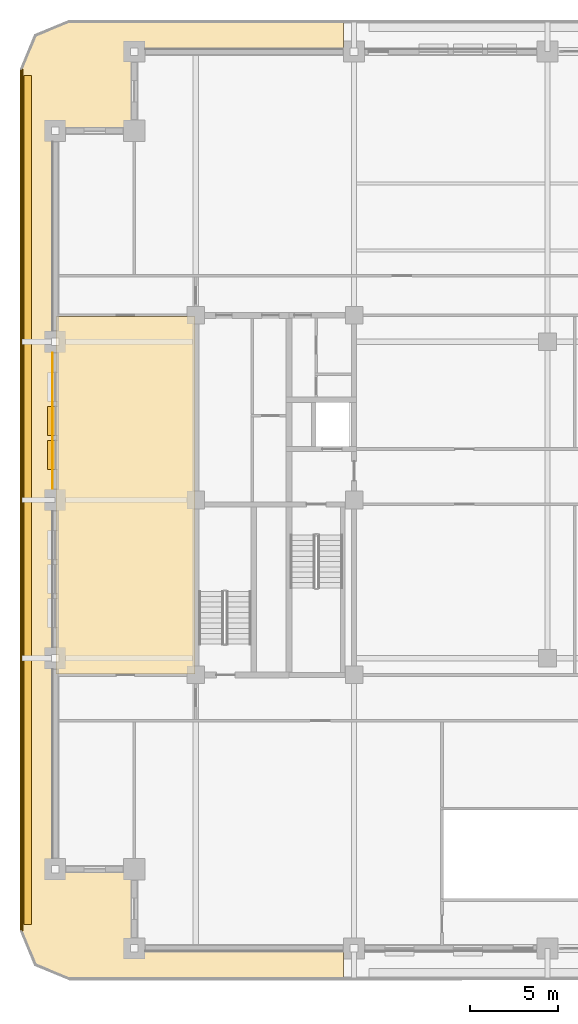
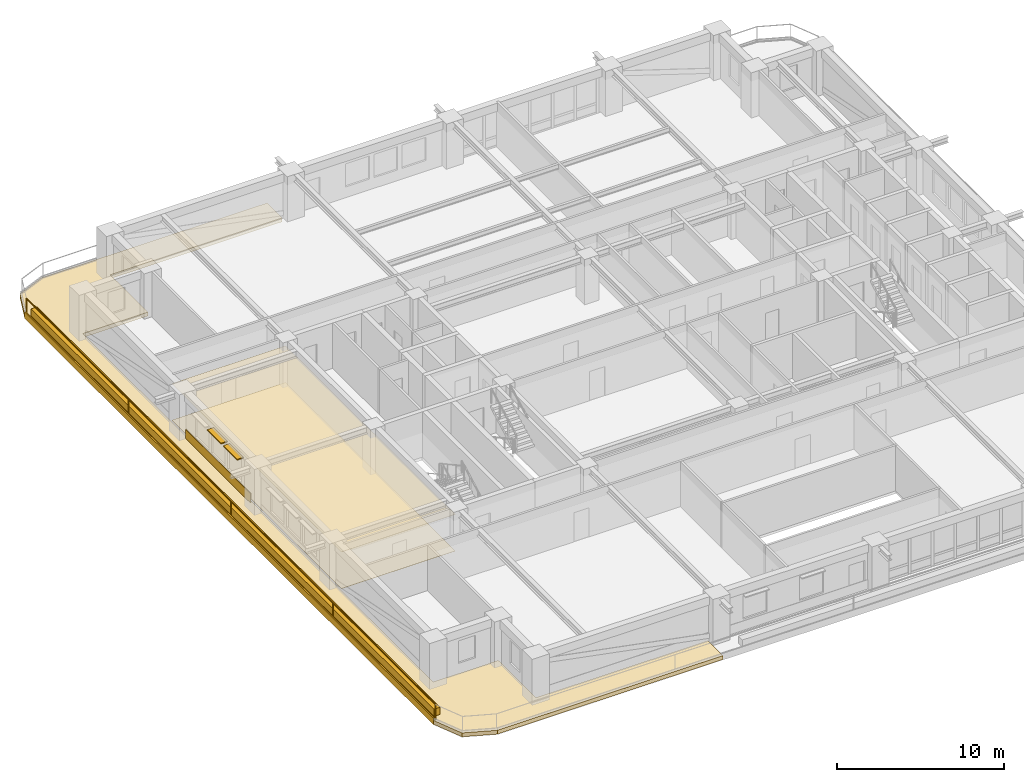
# One storey, part 15 of 20: 6 coverings, 2 shading devices, 1 railing.
"""IFC4 building model written with IfcOpenShell, lengths in metres."""

from ifc_helpers import new_model, si_unit, direction, frame, frame_2d, origin, origin_2d, place, context, subcontext, project, spatial, polyline, rectangle, outline, extrude, material, layer, layer_set, type_object, element, save


model = new_model("IFC4")

# Units and contexts
model_context = context("Model", 3, precision=1e-05, world=origin(), true_north=direction((0.0, 1.0)))
body_context = subcontext(model_context, "Body", "Model", "MODEL_VIEW")
ifc_project = project(units=[si_unit("LENGTHUNIT", "METRE"), si_unit("AREAUNIT", "SQUARE_METRE"), si_unit("VOLUMEUNIT", "CUBIC_METRE"), si_unit("PLANEANGLEUNIT", "RADIAN"), si_unit("MASSUNIT", "GRAM", prefix="KILO")], contexts=[model_context])

# Site, building, storey
site_placement = place(None, origin())
site = spatial("IfcSite", under=ifc_project, at=site_placement, CompositionType="ELEMENT")
building_placement = place(site_placement, origin())
building = spatial("IfcBuilding", under=site, at=building_placement, Name="Zulmaris Gate Convention Tower", CompositionType="ELEMENT")
storey_placement = place(building_placement, frame((0.0, 0.0, 146.33984375)))
storey = spatial("IfcBuildingStorey", under=building, at=storey_placement, Name="L37", CompositionType="ELEMENT", Elevation=146.33984375)

# Coverings
ifc_material_1 = material(Name="Precast concrete C40/50", Category="concrete")
ifc_layer_1 = layer(ifc_material_1, 0.0400390625, Name="Precast concrete C40/50")
ifc_layer_set_1 = layer_set([ifc_layer_1], Name="Precast concrete C40/50")
covering_type_1 = type_object("IfcCoveringType", Name="CLAD-SPANDREL-PRECAST", PredefinedType="CLADDING", material=ifc_layer_set_1)
covering_1_placement = place(storey_placement, frame((-28.14990234375, 8.3701171875, 0.0), z_axis=(0.0, 0.0, 1.0), x_axis=(0.0, -1.0, 0.0)))
element("IfcCovering", 1, at=covering_1_placement, inside=storey, type_object=covering_type_1, Name="CLD-L37-W-2_0", PredefinedType="CLADDING", context=body_context, shape_type="SweptSolid", body=[
    extrude(rectangle(XDim=7.740234375, YDim=0.0400390625, at=frame_2d((3.8701171875, 0.0))), origin(), (0.0, 0.0, 1.0), 0.679931640625),
])
ifc_material_2 = material(Name="White Glazed Architectural Precast Concrete C40/50", Category="concrete")
ifc_layer_2 = layer(ifc_material_2, 0.239990234375, Name="White Glazed Architectural Precast Concrete C40/50")
ifc_layer_set_2 = layer_set([ifc_layer_2], Name="White Glazed Architectural Precast Concrete C40/50")
covering_type_2 = type_object("IfcCoveringType", Name="CLAD-TRAY-DECK", PredefinedType="CLADDING", material=ifc_layer_set_2)
covering_2_placement = place(storey_placement, frame((0.0, 0.0, -0.324951171875)))
element("IfcCovering", 2, at=covering_2_placement, inside=storey, type_object=covering_type_2, Name="L37 West Rounded-Fascia Planter Tray Deck", PredefinedType="CLADDING", context=body_context, shape_type="SweptSolid", body=[
    extrude(outline(polyline([(-30.0, 24.5), (-29.179931640625, 26.47998046875), (-27.199951171875, 27.300048828125), (-11.60205078125, 27.300048828125), (-11.60205078125, 25.5), (-23.5, 25.5), (-23.5, 21.0), (-28.0, 21.0), (-28.0, -21.0), (-23.5, -21.0), (-23.5, -25.5), (-11.60205078125, -25.5), (-11.60205078125, -27.300048828125), (-27.199951171875, -27.300048828125), (-29.179931640625, -26.47998046875), (-30.0, -24.5), (-30.0, 24.5)])), origin(), (0.0, 0.0, 1.0), 0.284912109375),
])
ifc_layer_3 = layer(ifc_material_2, 0.080078125, Name="White Glazed Architectural Precast Concrete C40/50")
ifc_layer_set_3 = layer_set([ifc_layer_3], Name="White Glazed Architectural Precast Concrete C40/50")
covering_type_3 = type_object("IfcCoveringType", Name="CLAD-TRAY-FASCIA", PredefinedType="CLADDING", material=ifc_layer_set_3)
covering_3_placement = place(storey_placement, frame((-29.9599609375, 24.5, -0.364990234375), z_axis=(0.0, 0.0, 1.0), x_axis=(0.0, -1.0, 0.0)))
element("IfcCovering", 3, at=covering_3_placement, inside=storey, type_object=covering_type_3, Name="FSC-L37-TR-11", PredefinedType="CLADDING", context=body_context, shape_type="SweptSolid", body=[
    extrude(rectangle(XDim=49.0, YDim=0.080078125, at=frame_2d((24.5, 0.0))), origin(), (0.0, 0.0, 1.0), 0.48486328125),
])
ifc_material_3 = material(Name="Mineral Fibre Acoustic Ceiling Tile")
ifc_layer_4 = layer(ifc_material_3, 0.02001953125, Name="Mineral Fibre Acoustic Ceiling Tile")
ifc_layer_set_4 = layer_set([ifc_layer_4], Name="Mineral Fibre Acoustic Ceiling Tile")
covering_type_4 = type_object("IfcCoveringType", Name="CLG-ACOUSTIC-600", PredefinedType="CEILING", material=ifc_layer_set_4)
covering_4_placement = place(storey_placement, frame((0.0, 0.0, 2.68017578125)))
element("IfcCovering", 4, at=covering_4_placement, inside=storey, type_object=covering_type_4, Name="CLG-L37-R52", PredefinedType="CEILING", context=body_context, shape_type="SweptSolid", body=[
    extrude(outline(polyline([(-27.93994140625, -9.889892578125), (-20.06005859375, -9.889892578125), (-20.06005859375, 10.43994140625), (-27.93994140625, 10.43994140625), (-27.93994140625, -9.889892578125)])), origin(), (0.0, 0.0, 1.0), 0.019775390625),
])
ifc_material_4 = material(Name="Woven Acoustic Wool Carpet Tile")
ifc_layer_5 = layer(ifc_material_4, 0.02001953125, Name="Woven Acoustic Wool Carpet Tile")
ifc_layer_set_5 = layer_set([ifc_layer_5], Name="Woven Acoustic Wool Carpet Tile")
covering_type_5 = type_object("IfcCoveringType", Name="FLR-CARPET-12", PredefinedType="FLOORING", material=ifc_layer_set_5)
covering_5_placement = place(storey_placement, origin())
element("IfcCovering", 5, at=covering_5_placement, inside=storey, type_object=covering_type_5, Name="FLR-L37-R52", PredefinedType="FLOORING", context=body_context, shape_type="SweptSolid", body=[
    extrude(outline(polyline([(-27.93994140625, -9.889892578125), (-20.06005859375, -9.889892578125), (-20.06005859375, 10.43994140625), (-27.93994140625, 10.43994140625), (-27.93994140625, -9.889892578125)])), origin(), (0.0, 0.0, 1.0), 0.02001953125),
])
ifc_material_5 = material(Name="Botanical Green Glazed Precast Concrete C40/50", Category="concrete")
ifc_layer_6 = layer(ifc_material_5, 0.419921875, Name="Botanical Green Glazed Precast Concrete C40/50")
ifc_layer_set_6 = layer_set([ifc_layer_6], Name="Botanical Green Glazed Precast Concrete C40/50")
covering_type_6 = type_object("IfcCoveringType", Name="PLANTER-BOX-200", PredefinedType="CLADDING", material=ifc_layer_set_6)
covering_6_placement = place(storey_placement, frame((0.0, 0.0, -0.0400390625)))
element("IfcCovering", 6, at=covering_6_placement, inside=storey, type_object=covering_type_6, Name="L37 W Full-Length Balcony Tree Planter Trough", PredefinedType="CLADDING", context=body_context, shape_type="SweptSolid", body=[
    extrude(outline(polyline([(-29.760009765625, -24.14990234375), (-29.340087890625, -24.14990234375), (-29.340087890625, 24.14990234375), (-29.760009765625, 24.14990234375), (-29.760009765625, -24.14990234375)])), origin(), (0.0, 0.0, 1.0), 0.52001953125),
])

# Railing
ifc_material_6 = material(Name="Laminated Glass and Stainless Steel", Category="steel")
railing_type = type_object("IfcRailingType", Name="RL-BALC-1150", PredefinedType="BALUSTRADE", material=ifc_material_6)
railing_placement = place(storey_placement, frame((-29.8798828125, 24.5, -0.0400390625)))
element("IfcRailing", 7, at=railing_placement, inside=storey, type_object=railing_type, Name="RL-L37-BALC-W", PredefinedType="BALUSTRADE", context=body_context, shape_type="SweptSolid", body=[
    extrude(rectangle(XDim=0.048095703125, YDim=0.048095703125, at=origin_2d()), frame((0.0, 0.0, 1.1259765625), z_axis=(0.0, -1.0, 0.0), x_axis=(1.0, 0.0, 0.0)), (0.0, 0.0, 1.0), 49.0),
    extrude(rectangle(XDim=0.048095703125, YDim=0.048095703125, at=origin_2d()), frame((0.0, 0.0, 0.02392578125), z_axis=(0.0, -1.0, 0.0), x_axis=(1.0, 0.0, 0.0)), (0.0, 0.0, 1.0), 49.0),
    extrude(rectangle(XDim=0.0419921875, YDim=0.0419921875, at=origin_2d()), origin(), (0.0, 0.0, 1.0), 1.101806640625),
    extrude(rectangle(XDim=0.0419921875, YDim=0.0419921875, at=origin_2d()), frame((0.0, -12.25, 0.0)), (0.0, 0.0, 1.0), 1.101806640625),
    extrude(rectangle(XDim=0.0419921875, YDim=0.0419921875, at=origin_2d()), frame((0.0, -24.5, 0.0)), (0.0, 0.0, 1.0), 1.101806640625),
    extrude(rectangle(XDim=0.0419921875, YDim=0.0419921875, at=origin_2d()), frame((0.0, -36.75, 0.0)), (0.0, 0.0, 1.0), 1.101806640625),
    extrude(rectangle(XDim=0.0419921875, YDim=0.0419921875, at=origin_2d()), frame((0.0, -49.0, 0.0)), (0.0, 0.0, 1.0), 1.101806640625),
])

# Shading devices
ifc_material_7 = material(Name="Glazed Ceramic Terracotta", Category="masonry")
ifc_layer_7 = layer(ifc_material_7, 0.070068359375, Name="Glazed Ceramic Terracotta")
ifc_layer_set_7 = layer_set([ifc_layer_7], Name="Glazed Ceramic Terracotta")
shading_device_type = type_object("IfcShadingDeviceType", Name="SHD-SUNSHADE-TC", PredefinedType="AWNING", material=ifc_layer_set_7)
for number, where, z_axis, x_axis, name in (
    (8, (-28.219970703125, 5.324951171875, 2.530029296875), (0.0, 0.0, 1.0), (0.0, -1.0, 0.0), "SHD-EW-L37-W-2_0-2"),
    (9, (-28.219970703125, 3.389892578125, 2.530029296875), (0.0, 0.0, 1.0), (0.0, -1.0, 0.0), "SHD-EW-L37-W-2_0-3"),
):
    element("IfcShadingDevice", number, at=place(storey_placement, frame(where, z_axis=z_axis, x_axis=x_axis)), inside=storey, type_object=shading_device_type, Name=name, PredefinedType="AWNING", context=body_context, shape_type="SweptSolid", body=[
        extrude(rectangle(XDim=1.64990234375, YDim=0.43994140625, at=frame_2d((0.824951171875, 0.0))), origin(), (0.0, 0.0, 1.0), 0.06982421875),
    ])

save(model, "model.ifc")
